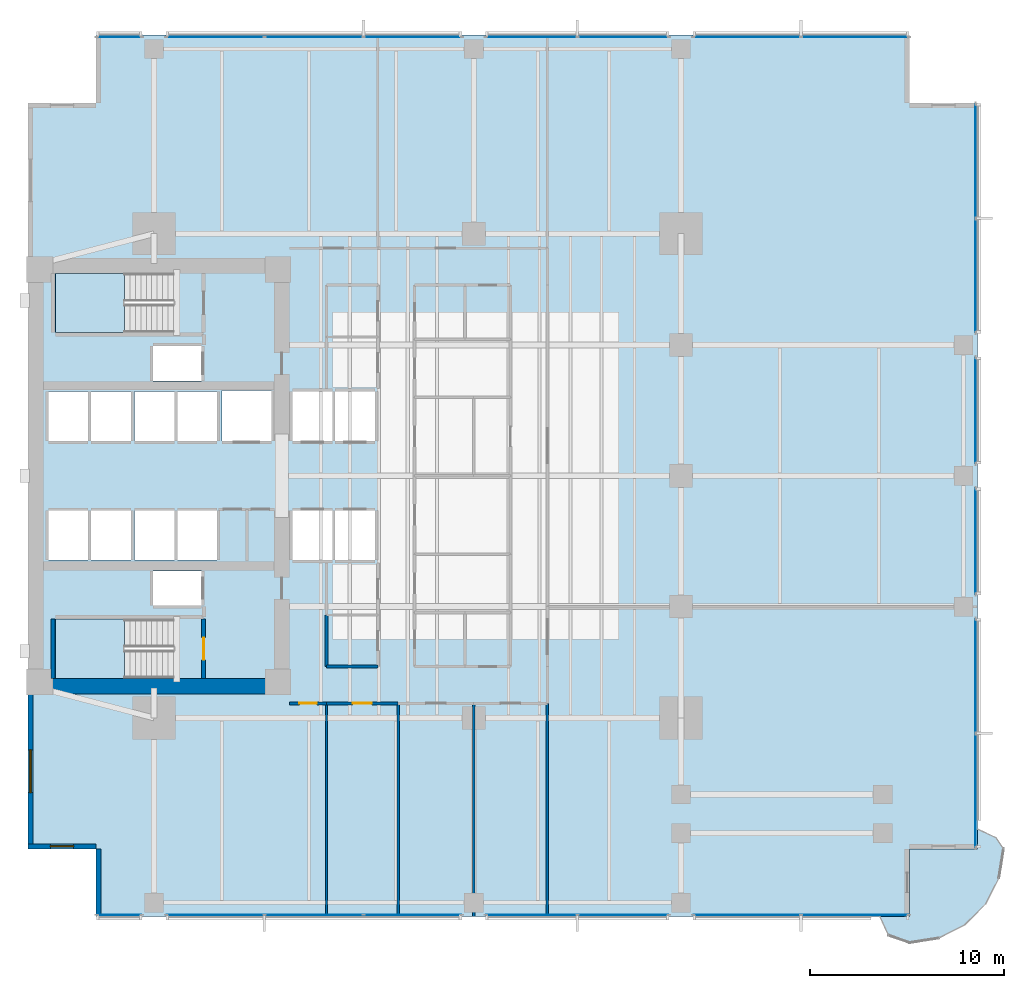
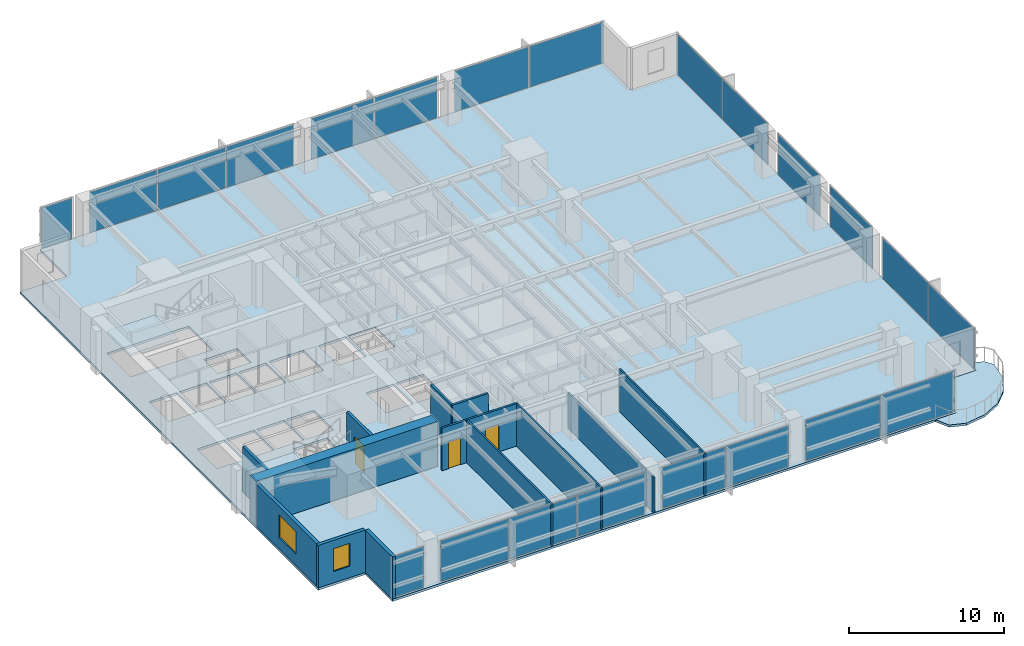
# One storey, part 7 of 15: 22 plates, 14 walls, 4 slabs, 3 doors, 2 windows, 5 openings, 14 elements without a shape of their own.
"""IFC4 building model written with IfcOpenShell, lengths in metres."""

from ifc_helpers import new_model, si_unit, direction, frame, frame_2d, origin, origin_2d, place, context, subcontext, project, spatial, polyline, rectangle, outline, extrude, material, layer, layer_set, type_object, element, fill, aggregate, save


model = new_model("IFC4")

# Units and contexts
model_context = context("Model", 3, precision=1e-05, world=origin(), true_north=direction((0.0, 1.0)))
body_context = subcontext(model_context, "Body", "Model", "MODEL_VIEW")
ifc_project = project(units=[si_unit("LENGTHUNIT", "METRE"), si_unit("AREAUNIT", "SQUARE_METRE"), si_unit("VOLUMEUNIT", "CUBIC_METRE"), si_unit("PLANEANGLEUNIT", "RADIAN"), si_unit("MASSUNIT", "GRAM", prefix="KILO")], contexts=[model_context])

# Site, building, storey
site_placement = place(None, origin())
site = spatial("IfcSite", under=ifc_project, at=site_placement, CompositionType="ELEMENT")
building_placement = place(site_placement, origin())
building = spatial("IfcBuilding", under=site, at=building_placement, Name="Kinhvarn Gate Tower", CompositionType="ELEMENT")
storey_placement = place(building_placement, frame((0.0, 0.0, 89.5)))
storey = spatial("IfcBuildingStorey", under=building, at=storey_placement, Name="L23", CompositionType="ELEMENT", Elevation=89.5)

# Curtain wall, plate
ifc_material_1 = material(Name="Anodised aluminium AW-6063", Category="aluminium")
ifc_layer_1 = layer(ifc_material_1, 0.179931640625)
ifc_layer_set_1 = layer_set([ifc_layer_1], Name="Anodised aluminium AW-6063")
curtain_wall_type = type_object("IfcCurtainWallType", Name="CW-SYS-2", PredefinedType="NOTDEFINED", material=ifc_layer_set_1)
curtain_wall_1_placement = place(storey_placement, origin())
curtain_wall_1 = element("IfcCurtainWall", 1, at=curtain_wall_1_placement, inside=storey, type_object=curtain_wall_type, Name="Curtain Wall CW2 (L23)", PredefinedType="NOTDEFINED")
ifc_material_2 = material(Name="Clear low-e double glazing", Category="glass")
ifc_layer_2 = layer(ifc_material_2, 0.031982421875)
ifc_layer_set_2 = layer_set([ifc_layer_2], Name="Clear low-e double glazing")
plate_type = type_object("IfcPlateType", Name="CW-PNL-VIS", PredefinedType="CURTAIN_PANEL", material=ifc_layer_set_2)
plate_1_placement = place(storey_placement, frame((9.2099609375, 2.590087890625, 0.070068359375), z_axis=(0.0, 0.0, 1.0), x_axis=(1.0, 0.0, 0.0)))
plate_1 = element("IfcPlate", 2, at=plate_1_placement, type_object=plate_type, Name="CW2 panel 1.1", PredefinedType="CURTAIN_PANEL", context=body_context, shape_type="SweptSolid", body=[
    extrude(rectangle(XDim=2.280029296875, YDim=0.031982421875, at=origin_2d()), origin(), (0.0, 0.0, 1.0), 3.2099609375),
])
aggregate(curtain_wall_1, [plate_1])

# Curtain wall, plates
curtain_wall_2_placement = place(storey_placement, origin())
curtain_wall_2 = element("IfcCurtainWall", 3, at=curtain_wall_2_placement, inside=storey, type_object=curtain_wall_type, Name="Curtain Wall CW2 (L23)", PredefinedType="NOTDEFINED")
plate_2_placement = place(storey_placement, frame((14.154052734375, 2.590087890625, 0.070068359375), z_axis=(0.0, 0.0, 1.0), x_axis=(1.0, 0.0, 0.0)))
plate_2 = element("IfcPlate", 4, at=plate_2_placement, type_object=plate_type, Name="CW2 panel 1.1", PredefinedType="CURTAIN_PANEL", context=body_context, shape_type="SweptSolid", body=[
    extrude(rectangle(XDim=5.00830078125, YDim=0.031982421875, at=origin_2d()), origin(), (0.0, 0.0, 1.0), 3.2099609375),
])
plate_3_placement = place(storey_placement, frame((19.25, 2.590087890625, 0.070068359375), z_axis=(0.0, 0.0, 1.0), x_axis=(1.0, 0.0, 0.0)))
plate_3 = element("IfcPlate", 5, at=plate_3_placement, type_object=plate_type, Name="CW2 panel 2.1", PredefinedType="CURTAIN_PANEL", context=body_context, shape_type="SweptSolid", body=[
    extrude(rectangle(XDim=5.043212890625, YDim=0.031982421875, at=origin_2d()), origin(), (0.0, 0.0, 1.0), 3.2099609375),
])
plate_4_placement = place(storey_placement, frame((24.345947265625, 2.590087890625, 0.070068359375), z_axis=(0.0, 0.0, 1.0), x_axis=(1.0, 0.0, 0.0)))
plate_4 = element("IfcPlate", 6, at=plate_4_placement, type_object=plate_type, Name="CW2 panel 3.1", PredefinedType="CURTAIN_PANEL", context=body_context, shape_type="SweptSolid", body=[
    extrude(rectangle(XDim=5.00830078125, YDim=0.031982421875, at=origin_2d()), origin(), (0.0, 0.0, 1.0), 3.2099609375),
])
aggregate(curtain_wall_2, [plate_2, plate_3, plate_4])

curtain_wall_3_placement = place(storey_placement, origin())
curtain_wall_3 = element("IfcCurtainWall", 7, at=curtain_wall_3_placement, inside=storey, type_object=curtain_wall_type, Name="Curtain Wall CW2 (L23)", PredefinedType="NOTDEFINED")
plate_5_placement = place(storey_placement, frame((30.482421875, 2.590087890625, 0.070068359375), z_axis=(0.0, 0.0, 1.0), x_axis=(1.0, 0.0, 0.0)))
plate_5 = element("IfcPlate", 8, at=plate_5_placement, type_object=plate_type, Name="CW2 panel 1.1", PredefinedType="CURTAIN_PANEL", context=body_context, shape_type="SweptSolid", body=[
    extrude(rectangle(XDim=4.6650390625, YDim=0.031982421875, at=origin_2d()), origin(), (0.0, 0.0, 1.0), 3.2099609375),
])
plate_6_placement = place(storey_placement, frame((35.217529296875, 2.590087890625, 0.070068359375), z_axis=(0.0, 0.0, 1.0), x_axis=(1.0, 0.0, 0.0)))
plate_6 = element("IfcPlate", 9, at=plate_6_placement, type_object=plate_type, Name="CW2 panel 2.1", PredefinedType="CURTAIN_PANEL", context=body_context, shape_type="SweptSolid", body=[
    extrude(rectangle(XDim=4.6650390625, YDim=0.031982421875, at=origin_2d()), origin(), (0.0, 0.0, 1.0), 3.2099609375),
])
aggregate(curtain_wall_3, [plate_5, plate_6])

curtain_wall_4_placement = place(storey_placement, origin())
curtain_wall_4 = element("IfcCurtainWall", 10, at=curtain_wall_4_placement, inside=storey, type_object=curtain_wall_type, Name="Curtain Wall CW2 (L23)", PredefinedType="NOTDEFINED")
plate_7_placement = place(storey_placement, frame((41.6025390625, 2.590087890625, 0.070068359375), z_axis=(0.0, 0.0, 1.0), x_axis=(1.0, 0.0, 0.0)))
plate_7 = element("IfcPlate", 11, at=plate_7_placement, type_object=plate_type, Name="CW2 panel 1.1", PredefinedType="CURTAIN_PANEL", context=body_context, shape_type="SweptSolid", body=[
    extrude(rectangle(XDim=5.5048828125, YDim=0.031982421875, at=origin_2d()), origin(), (0.0, 0.0, 1.0), 3.2099609375),
])
plate_8_placement = place(storey_placement, frame((47.177490234375, 2.590087890625, 0.070068359375), z_axis=(0.0, 0.0, 1.0), x_axis=(1.0, 0.0, 0.0)))
plate_8 = element("IfcPlate", 12, at=plate_8_placement, type_object=plate_type, Name="CW2 panel 2.1", PredefinedType="CURTAIN_PANEL", context=body_context, shape_type="SweptSolid", body=[
    extrude(rectangle(XDim=5.5048828125, YDim=0.031982421875, at=origin_2d()), origin(), (0.0, 0.0, 1.0), 3.2099609375),
])
aggregate(curtain_wall_4, [plate_7, plate_8])

curtain_wall_5_placement = place(storey_placement, origin())
curtain_wall_5 = element("IfcCurtainWall", 13, at=curtain_wall_5_placement, inside=storey, type_object=curtain_wall_type, Name="Curtain Wall CW2 (L23)", PredefinedType="NOTDEFINED")
plate_9_placement = place(storey_placement, frame((47.177490234375, 47.909912109375, 0.070068359375), z_axis=(0.0, 0.0, 1.0), x_axis=(-1.0, 0.0, 0.0)))
plate_9 = element("IfcPlate", 14, at=plate_9_placement, type_object=plate_type, Name="CW2 panel 1.1", PredefinedType="CURTAIN_PANEL", context=body_context, shape_type="SweptSolid", body=[
    extrude(rectangle(XDim=5.5048828125, YDim=0.031982421875, at=origin_2d()), origin(), (0.0, 0.0, 1.0), 3.2099609375),
])
plate_10_placement = place(storey_placement, frame((41.6025390625, 47.909912109375, 0.070068359375), z_axis=(0.0, 0.0, 1.0), x_axis=(-1.0, 0.0, 0.0)))
plate_10 = element("IfcPlate", 15, at=plate_10_placement, type_object=plate_type, Name="CW2 panel 2.1", PredefinedType="CURTAIN_PANEL", context=body_context, shape_type="SweptSolid", body=[
    extrude(rectangle(XDim=5.5048828125, YDim=0.031982421875, at=origin_2d()), origin(), (0.0, 0.0, 1.0), 3.2099609375),
])
aggregate(curtain_wall_5, [plate_9, plate_10])

curtain_wall_6_placement = place(storey_placement, origin())
curtain_wall_6 = element("IfcCurtainWall", 16, at=curtain_wall_6_placement, inside=storey, type_object=curtain_wall_type, Name="Curtain Wall CW2 (L23)", PredefinedType="NOTDEFINED")
plate_11_placement = place(storey_placement, frame((35.217529296875, 47.909912109375, 0.070068359375), z_axis=(0.0, 0.0, 1.0), x_axis=(-1.0, 0.0, 0.0)))
plate_11 = element("IfcPlate", 17, at=plate_11_placement, type_object=plate_type, Name="CW2 panel 1.1", PredefinedType="CURTAIN_PANEL", context=body_context, shape_type="SweptSolid", body=[
    extrude(rectangle(XDim=4.6650390625, YDim=0.031982421875, at=origin_2d()), origin(), (0.0, 0.0, 1.0), 3.2099609375),
])
plate_12_placement = place(storey_placement, frame((30.482421875, 47.909912109375, 0.070068359375), z_axis=(0.0, 0.0, 1.0), x_axis=(-1.0, 0.0, 0.0)))
plate_12 = element("IfcPlate", 18, at=plate_12_placement, type_object=plate_type, Name="CW2 panel 2.1", PredefinedType="CURTAIN_PANEL", context=body_context, shape_type="SweptSolid", body=[
    extrude(rectangle(XDim=4.6650390625, YDim=0.031982421875, at=origin_2d()), origin(), (0.0, 0.0, 1.0), 3.2099609375),
])
aggregate(curtain_wall_6, [plate_11, plate_12])

curtain_wall_7_placement = place(storey_placement, origin())
curtain_wall_7 = element("IfcCurtainWall", 19, at=curtain_wall_7_placement, inside=storey, type_object=curtain_wall_type, Name="Curtain Wall CW2 (L23)", PredefinedType="NOTDEFINED")
plate_13_placement = place(storey_placement, frame((24.345947265625, 47.909912109375, 0.070068359375), z_axis=(0.0, 0.0, 1.0), x_axis=(-1.0, 0.0, 0.0)))
plate_13 = element("IfcPlate", 20, at=plate_13_placement, type_object=plate_type, Name="CW2 panel 1.1", PredefinedType="CURTAIN_PANEL", context=body_context, shape_type="SweptSolid", body=[
    extrude(rectangle(XDim=5.00830078125, YDim=0.031982421875, at=origin_2d()), origin(), (0.0, 0.0, 1.0), 3.2099609375),
])
plate_14_placement = place(storey_placement, frame((19.25, 47.909912109375, 0.070068359375), z_axis=(0.0, 0.0, 1.0), x_axis=(-1.0, 0.0, 0.0)))
plate_14 = element("IfcPlate", 21, at=plate_14_placement, type_object=plate_type, Name="CW2 panel 2.1", PredefinedType="CURTAIN_PANEL", context=body_context, shape_type="SweptSolid", body=[
    extrude(rectangle(XDim=5.043212890625, YDim=0.031982421875, at=origin_2d()), origin(), (0.0, 0.0, 1.0), 3.2099609375),
])
plate_15_placement = place(storey_placement, frame((14.154052734375, 47.909912109375, 0.070068359375), z_axis=(0.0, 0.0, 1.0), x_axis=(-1.0, 0.0, 0.0)))
plate_15 = element("IfcPlate", 22, at=plate_15_placement, type_object=plate_type, Name="CW2 panel 3.1", PredefinedType="CURTAIN_PANEL", context=body_context, shape_type="SweptSolid", body=[
    extrude(rectangle(XDim=5.00830078125, YDim=0.031982421875, at=origin_2d()), origin(), (0.0, 0.0, 1.0), 3.2099609375),
])
aggregate(curtain_wall_7, [plate_13, plate_14, plate_15])

# Curtain wall, plate
curtain_wall_8_placement = place(storey_placement, origin())
curtain_wall_8 = element("IfcCurtainWall", 23, at=curtain_wall_8_placement, inside=storey, type_object=curtain_wall_type, Name="Curtain Wall CW2 (L23)", PredefinedType="NOTDEFINED")
plate_16_placement = place(storey_placement, frame((9.2099609375, 47.909912109375, 0.070068359375), z_axis=(0.0, 0.0, 1.0), x_axis=(-1.0, 0.0, 0.0)))
plate_16 = element("IfcPlate", 24, at=plate_16_placement, type_object=plate_type, Name="CW2 panel 1.1", PredefinedType="CURTAIN_PANEL", context=body_context, shape_type="SweptSolid", body=[
    extrude(rectangle(XDim=2.280029296875, YDim=0.031982421875, at=origin_2d()), origin(), (0.0, 0.0, 1.0), 3.2099609375),
])
aggregate(curtain_wall_8, [plate_16])

# Curtain wall, plates
curtain_wall_9_placement = place(storey_placement, origin())
curtain_wall_9 = element("IfcCurtainWall", 25, at=curtain_wall_9_placement, inside=storey, type_object=curtain_wall_type, Name="Curtain Wall CW2 (L23)", PredefinedType="NOTDEFINED")
plate_17_placement = place(storey_placement, frame((53.409912109375, 8.99755859375, 0.070068359375), z_axis=(0.0, 0.0, 1.0), x_axis=(0.0, 1.0, 0.0)))
plate_17 = element("IfcPlate", 26, at=plate_17_placement, type_object=plate_type, Name="CW2 panel 1.1", PredefinedType="CURTAIN_PANEL", context=body_context, shape_type="SweptSolid", body=[
    extrude(rectangle(XDim=5.85498046875, YDim=0.031982421875, at=origin_2d()), origin(), (0.0, 0.0, 1.0), 3.2099609375),
])
plate_18_placement = place(storey_placement, frame((53.409912109375, 14.922607421875, 0.070068359375), z_axis=(0.0, 0.0, 1.0), x_axis=(0.0, 1.0, 0.0)))
plate_18 = element("IfcPlate", 27, at=plate_18_placement, type_object=plate_type, Name="CW2 panel 2.1", PredefinedType="CURTAIN_PANEL", context=body_context, shape_type="SweptSolid", body=[
    extrude(rectangle(XDim=5.85498046875, YDim=0.031982421875, at=origin_2d()), origin(), (0.0, 0.0, 1.0), 3.2099609375),
])
aggregate(curtain_wall_9, [plate_17, plate_18])

# Curtain wall, plate
curtain_wall_10_placement = place(storey_placement, origin())
curtain_wall_10 = element("IfcCurtainWall", 28, at=curtain_wall_10_placement, inside=storey, type_object=curtain_wall_type, Name="Curtain Wall CW2 (L23)", PredefinedType="NOTDEFINED")
plate_19_placement = place(storey_placement, frame((53.409912109375, 21.875, 0.070068359375), z_axis=(0.0, 0.0, 1.0), x_axis=(0.0, 1.0, 0.0)))
plate_19 = element("IfcPlate", 29, at=plate_19_placement, type_object=plate_type, Name="CW2 panel 1.1", PredefinedType="CURTAIN_PANEL", context=body_context, shape_type="SweptSolid", body=[
    extrude(rectangle(XDim=5.449951171875, YDim=0.031982421875, at=origin_2d()), origin(), (0.0, 0.0, 1.0), 3.2099609375),
])
aggregate(curtain_wall_10, [plate_19])

curtain_wall_11_placement = place(storey_placement, origin())
curtain_wall_11 = element("IfcCurtainWall", 30, at=curtain_wall_11_placement, inside=storey, type_object=curtain_wall_type, Name="Curtain Wall CW2 (L23)", PredefinedType="NOTDEFINED")
plate_20_placement = place(storey_placement, frame((53.409912109375, 28.625, 0.070068359375), z_axis=(0.0, 0.0, 1.0), x_axis=(0.0, 1.0, 0.0)))
plate_20 = element("IfcPlate", 31, at=plate_20_placement, type_object=plate_type, Name="CW2 panel 1.1", PredefinedType="CURTAIN_PANEL", context=body_context, shape_type="SweptSolid", body=[
    extrude(rectangle(XDim=5.449951171875, YDim=0.031982421875, at=origin_2d()), origin(), (0.0, 0.0, 1.0), 3.2099609375),
])
aggregate(curtain_wall_11, [plate_20])

# Curtain wall, plates
curtain_wall_12_placement = place(storey_placement, origin())
curtain_wall_12 = element("IfcCurtainWall", 32, at=curtain_wall_12_placement, inside=storey, type_object=curtain_wall_type, Name="Curtain Wall CW2 (L23)", PredefinedType="NOTDEFINED")
plate_21_placement = place(storey_placement, frame((53.409912109375, 35.577392578125, 0.070068359375), z_axis=(0.0, 0.0, 1.0), x_axis=(0.0, 1.0, 0.0)))
plate_21 = element("IfcPlate", 33, at=plate_21_placement, type_object=plate_type, Name="CW2 panel 1.1", PredefinedType="CURTAIN_PANEL", context=body_context, shape_type="SweptSolid", body=[
    extrude(rectangle(XDim=5.85498046875, YDim=0.031982421875, at=origin_2d()), origin(), (0.0, 0.0, 1.0), 3.2099609375),
])
plate_22_placement = place(storey_placement, frame((53.409912109375, 41.50244140625, 0.070068359375), z_axis=(0.0, 0.0, 1.0), x_axis=(0.0, 1.0, 0.0)))
plate_22 = element("IfcPlate", 34, at=plate_22_placement, type_object=plate_type, Name="CW2 panel 2.1", PredefinedType="CURTAIN_PANEL", context=body_context, shape_type="SweptSolid", body=[
    extrude(rectangle(XDim=5.85498046875, YDim=0.031982421875, at=origin_2d()), origin(), (0.0, 0.0, 1.0), 3.2099609375),
])
aggregate(curtain_wall_12, [plate_21, plate_22])

# Slabs
ifc_material_3 = material(Name="Precast white architectural concrete C40/50", Category="concrete")
ifc_layer_3 = layer(ifc_material_3, 0.179931640625)
ifc_layer_set_3 = layer_set([ifc_layer_3], Name="Precast white architectural concrete C40/50")
slab_type_1 = type_object("IfcSlabType", Name="SLB-BAL-180", PredefinedType="FLOOR", material=ifc_layer_set_3)
slab_1_placement = place(storey_placement, frame((0.0, 0.0, -0.179931640625)))
element("IfcSlab", 35, at=slab_1_placement, inside=storey, type_object=slab_type_1, Name="S-Carve Curved Terrace Balcony Slab L23 (SE)", PredefinedType="FLOOR", context=body_context, shape_type="SweptSolid", body=[
    extrude(outline(polyline([(48.466064453125, 2.5), (48.916015625, 1.528076171875), (50.0, 1.14990234375), (51.498779296875, 1.387451171875), (52.850830078125, 2.076416015625), (53.923583984375, 3.149169921875), (54.612548828125, 4.501220703125), (54.85009765625, 6.0), (54.471923828125, 6.56396484375), (53.5, 7.013916015625), (53.5, 6.0), (50.0, 6.0), (50.0, 2.5), (48.466064453125, 2.5)])), origin(), (0.0, 0.0, 1.0), 0.179931640625),
])
ifc_material_4 = material(Name="Concrete C40/50", Category="concrete")
ifc_layer_4 = layer(ifc_material_4, 0.179931640625)
ifc_layer_set_4 = layer_set([ifc_layer_4], Name="Concrete C40/50")
slab_type_2 = type_object("IfcSlabType", Name="SLB-FLR-180", PredefinedType="FLOOR", material=ifc_layer_set_4)
slab_2_placement = place(storey_placement, frame((0.0, 0.0, -0.179931640625)))
element("IfcSlab", 36, at=slab_2_placement, inside=storey, type_object=slab_type_2, Name="Suspended Floor Slab L23", PredefinedType="FLOOR", context=body_context, shape_type="SweptSolid", body=[
    extrude(outline(polyline([(8.0, 2.5), (50.0, 2.5), (50.0, 6.0), (53.5, 6.0), (53.5, 44.5), (50.0, 44.5), (50.0, 48.0), (8.0, 48.0), (8.0, 44.5), (4.5, 44.5), (4.5, 6.0), (8.0, 6.0), (8.0, 2.5)]), holes=[polyline([(5.89990234375, 14.800048828125), (12.0, 14.800048828125), (12.0, 17.85009765625), (5.89990234375, 17.85009765625), (5.89990234375, 14.800048828125)]), polyline([(5.89990234375, 32.64990234375), (12.0, 32.64990234375), (12.0, 35.699951171875), (5.89990234375, 35.699951171875), (5.89990234375, 32.64990234375)]), polyline([(18.14990234375, 20.89990234375), (20.199951171875, 20.89990234375), (20.199951171875, 23.449951171875), (18.14990234375, 23.449951171875), (18.14990234375, 20.89990234375)]), polyline([(20.35009765625, 20.89990234375), (22.39990234375, 20.89990234375), (22.39990234375, 23.449951171875), (20.35009765625, 23.449951171875), (20.35009765625, 20.89990234375)]), polyline([(18.14990234375, 27.050048828125), (20.199951171875, 27.050048828125), (20.199951171875, 29.60009765625), (18.14990234375, 29.60009765625), (18.14990234375, 27.050048828125)]), polyline([(20.35009765625, 27.050048828125), (22.39990234375, 27.050048828125), (22.39990234375, 29.60009765625), (20.35009765625, 29.60009765625), (20.35009765625, 27.050048828125)]), polyline([(5.550048828125, 20.89990234375), (7.60009765625, 20.89990234375), (7.60009765625, 23.449951171875), (5.550048828125, 23.449951171875), (5.550048828125, 20.89990234375)]), polyline([(7.75, 20.89990234375), (9.800048828125, 20.89990234375), (9.800048828125, 23.449951171875), (7.75, 23.449951171875), (7.75, 20.89990234375)]), polyline([(5.550048828125, 27.050048828125), (7.60009765625, 27.050048828125), (7.60009765625, 29.60009765625), (5.550048828125, 29.60009765625), (5.550048828125, 27.050048828125)]), polyline([(7.75, 27.050048828125), (9.800048828125, 27.050048828125), (9.800048828125, 29.60009765625), (7.75, 29.60009765625), (7.75, 27.050048828125)]), polyline([(10.0, 20.89990234375), (12.050048828125, 20.89990234375), (12.050048828125, 23.449951171875), (10.0, 23.449951171875), (10.0, 20.89990234375)]), polyline([(12.199951171875, 20.89990234375), (14.25, 20.89990234375), (14.25, 23.449951171875), (12.199951171875, 23.449951171875), (12.199951171875, 20.89990234375)]), polyline([(10.0, 27.050048828125), (12.050048828125, 27.050048828125), (12.050048828125, 29.60009765625), (10.0, 29.60009765625), (10.0, 27.050048828125)]), polyline([(12.199951171875, 27.050048828125), (14.25, 27.050048828125), (14.25, 29.60009765625), (12.199951171875, 29.60009765625), (12.199951171875, 27.050048828125)]), polyline([(14.5, 27.050048828125), (17.050048828125, 27.050048828125), (17.050048828125, 29.64990234375), (14.5, 29.64990234375), (14.5, 27.050048828125)]), polyline([(10.949951171875, 18.550048828125), (13.449951171875, 18.550048828125), (13.449951171875, 20.35009765625), (10.949951171875, 20.35009765625), (10.949951171875, 18.550048828125)]), polyline([(10.949951171875, 30.14990234375), (13.449951171875, 30.14990234375), (13.449951171875, 31.949951171875), (10.949951171875, 31.949951171875), (10.949951171875, 30.14990234375)])]), origin(), (0.0, 0.0, 1.0), 0.179931640625),
])

# Stair, slab
stair_type = type_object("IfcStairType", Name="STR-DLG-177", PredefinedType="HALF_TURN_STAIR", material=ifc_material_4)
stair_1_placement = place(storey_placement, origin())
stair_1 = element("IfcStair", 37, at=stair_1_placement, inside=storey, type_object=stair_type, Name="L23 Core Smokeproof Exit Stair ST1", PredefinedType="HALF_TURN_STAIR")
ifc_layer_5 = layer(ifc_material_4, 0.199951171875)
ifc_layer_set_5 = layer_set([ifc_layer_5], Name="Concrete C40/50")
slab_type_3 = type_object("IfcSlabType", Name="SLB-ST-LND", PredefinedType="LANDING", material=ifc_layer_set_5)
slab_3_placement = place(storey_placement, frame((0.0, 0.0, 1.574951171875)))
slab_3 = element("IfcSlab", 38, at=slab_3_placement, type_object=slab_type_3, Name="ST1 landing 1", PredefinedType="LANDING", context=body_context, shape_type="SweptSolid", body=[
    extrude(outline(polyline([(9.47998046875, 17.85009765625), (5.89990234375, 17.85009765625), (5.89990234375, 14.800048828125), (9.47998046875, 14.800048828125), (9.47998046875, 17.85009765625)])), origin(), (0.0, 0.0, 1.0), 0.199951171875),
])
aggregate(stair_1, [slab_3])

stair_2_placement = place(storey_placement, origin())
stair_2 = element("IfcStair", 39, at=stair_2_placement, inside=storey, type_object=stair_type, Name="L23 Core Smokeproof Exit Stair ST2", PredefinedType="HALF_TURN_STAIR")
slab_4_placement = place(storey_placement, frame((0.0, 0.0, 1.574951171875)))
slab_4 = element("IfcSlab", 40, at=slab_4_placement, type_object=slab_type_3, Name="ST2 landing 1", PredefinedType="LANDING", context=body_context, shape_type="SweptSolid", body=[
    extrude(outline(polyline([(9.47998046875, 35.699951171875), (5.89990234375, 35.699951171875), (5.89990234375, 32.64990234375), (9.47998046875, 32.64990234375), (9.47998046875, 35.699951171875)])), origin(), (0.0, 0.0, 1.0), 0.199951171875),
])
aggregate(stair_2, [slab_4])

# Wall
ifc_material_5 = material(Name="Concrete C70/85", Category="concrete")
ifc_layer_6 = layer(ifc_material_5, 0.800048828125)
ifc_layer_set_6 = layer_set([ifc_layer_6], Name="Concrete C70/85")
wall_type_1 = type_object("IfcWallType", Name="WL-CORE-800", PredefinedType="SHEAR", material=ifc_layer_set_6)
wall_1_placement = place(storey_placement, frame((4.5, 14.39990234375, 0.0), z_axis=(0.0, 0.0, 1.0), x_axis=(1.0, 0.0, 0.0)))
element("IfcWall", 41, at=wall_1_placement, inside=storey, type_object=wall_type_1, Name="Core South Shear Wall L23 800 mm", PredefinedType="SHEAR", context=body_context, shape_type="SweptSolid", body=[
    extrude(rectangle(XDim=13.5, YDim=0.800048828125, at=frame_2d((6.75, 0.0))), origin(), (0.0, 0.0, 1.0), 3.550048828125),
])

# Wall, opening, window
ifc_material_6 = material(Name="Fired architectural terracotta", Category="masonry")
ifc_layer_7 = layer(ifc_material_6, 0.25)
ifc_layer_set_7 = layer_set([ifc_layer_7], Name="Fired architectural terracotta")
wall_type_2 = type_object("IfcWallType", Name="WL-EXT-250", PredefinedType="SOLIDWALL", material=ifc_layer_set_7)
wall_2_placement = place(storey_placement, frame((4.625, 14.0, 0.0), z_axis=(0.0, 0.0, 1.0), x_axis=(0.0, -1.0, 0.0)))
wall_2 = element("IfcWall", 42, at=wall_2_placement, inside=storey, type_object=wall_type_2, Name="Exterior Solidwall Wall EW-250 (L23 West-South)", PredefinedType="SOLIDWALL", context=body_context, shape_type="SweptSolid", body=[
    extrude(rectangle(XDim=8.0, YDim=0.25, at=frame_2d((4.0, 0.0))), origin(), (0.0, 0.0, 1.0), 3.35009765625),
])
opening_1_placement = place(wall_2_placement, frame((2.89990234375, 0.0, 0.89990234375)))
opening_1 = element("IfcOpeningElement", 43, at=opening_1_placement, cuts=wall_2, Name="Opening WN-01", PredefinedType="OPENING", context=body_context, shape_type="SweptSolid", body=[
    extrude(rectangle(XDim=2.199951171875, YDim=1.800048828125, at=frame_2d((1.10009765625, 0.89990234375))), frame((0.0, 0.135009765625, 0.0), z_axis=(0.0, -1.0, 0.0), x_axis=(1.0, 0.0, 0.0)), (0.0, 0.0, 1.0), 0.27001953125),
])
window_type_1 = type_object("IfcWindowType", Name="WIN-RIB-2200", PartitioningType="SINGLE_PANEL", PredefinedType="WINDOW", material=ifc_material_2)
window_1_placement = place(opening_1_placement, origin())
window_1 = element("IfcWindow", 44, at=window_1_placement, inside=storey, type_object=window_type_1, Name="West Flank Double-Glazed Ribbon Window 2200x1800 mm (L23)", OverallHeight=1.800048828125, OverallWidth=2.199951171875, PartitioningType="SINGLE_PANEL", PredefinedType="WINDOW", context=body_context, shape_type="SweptSolid", body=[
    extrude(rectangle(XDim=2.199951171875, YDim=1.800048828125, at=frame_2d((1.10009765625, 0.89990234375))), frame((0.0, 0.030029296875, 0.0), z_axis=(0.0, -1.0, 0.0), x_axis=(1.0, 0.0, 0.0)), (0.0, 0.0, 1.0), 0.06005859375),
])
fill(opening_1, window_1)

wall_3_placement = place(storey_placement, frame((4.5, 6.125, 0.0), z_axis=(0.0, 0.0, 1.0), x_axis=(1.0, 0.0, 0.0)))
wall_3 = element("IfcWall", 45, at=wall_3_placement, inside=storey, type_object=wall_type_2, Name="Exterior Solidwall Wall EW-250 (L23 SW-Notch-1)", PredefinedType="SOLIDWALL", context=body_context, shape_type="SweptSolid", body=[
    extrude(rectangle(XDim=3.5, YDim=0.25, at=frame_2d((1.75, 0.0))), origin(), (0.0, 0.0, 1.0), 3.35009765625),
])
opening_2_placement = place(wall_3_placement, frame((1.14990234375, 0.0, 0.89990234375)))
opening_2 = element("IfcOpeningElement", 46, at=opening_2_placement, cuts=wall_3, Name="Opening WN-02", PredefinedType="OPENING", context=body_context, shape_type="SweptSolid", body=[
    extrude(rectangle(XDim=1.199951171875, YDim=1.800048828125, at=frame_2d((0.60009765625, 0.89990234375))), frame((0.0, 0.135009765625, 0.0), z_axis=(0.0, -1.0, 0.0), x_axis=(1.0, 0.0, 0.0)), (0.0, 0.0, 1.0), 0.27001953125),
])
window_type_2 = type_object("IfcWindowType", Name="WIN-NTC-1200", PartitioningType="SINGLE_PANEL", PredefinedType="WINDOW", material=ifc_material_2)
window_2_placement = place(opening_2_placement, origin())
window_2 = element("IfcWindow", 47, at=window_2_placement, inside=storey, type_object=window_type_2, Name="Recessed Corner Notch Punched Window 1200x1800 mm (L23)", OverallHeight=1.800048828125, OverallWidth=1.199951171875, PartitioningType="SINGLE_PANEL", PredefinedType="WINDOW", context=body_context, shape_type="SweptSolid", body=[
    extrude(rectangle(XDim=1.199951171875, YDim=1.800048828125, at=frame_2d((0.60009765625, 0.89990234375))), frame((0.0, 0.030029296875, 0.0), z_axis=(0.0, -1.0, 0.0), x_axis=(1.0, 0.0, 0.0)), (0.0, 0.0, 1.0), 0.06005859375),
])
fill(opening_2, window_2)

# Walls
wall_4_placement = place(storey_placement, frame((8.125, 6.0, 0.0), z_axis=(0.0, 0.0, 1.0), x_axis=(0.0, -1.0, 0.0)))
element("IfcWall", 48, at=wall_4_placement, inside=storey, type_object=wall_type_2, Name="Exterior Solidwall Wall EW-250 (L23 SW-Notch-2)", PredefinedType="SOLIDWALL", context=body_context, shape_type="SweptSolid", body=[
    extrude(rectangle(XDim=3.5, YDim=0.25, at=frame_2d((1.75, 0.0))), origin(), (0.0, 0.0, 1.0), 3.35009765625),
])
ifc_material_7 = material(Name="Gypsum acoustic partition board")
ifc_layer_8 = layer(ifc_material_7, 0.1201171875)
ifc_layer_set_8 = layer_set([ifc_layer_8], Name="Gypsum acoustic partition board")
wall_type_3 = type_object("IfcWallType", Name="WL-PRT-120", PredefinedType="PARTITIONING", material=ifc_layer_set_8)
for number, where, z_axis, x_axis, name in (
    (49, (19.89990234375, 2.510009765625, 0.0), (0.0, 0.0, 1.0), (0.0, 1.0, 0.0), "Interior Partition PW-120 (L23)"),
    (50, (23.60009765625, 2.510009765625, 0.0), (0.0, 0.0, 1.0), (0.0, 1.0, 0.0), "Interior Partition PW-120 (L23)"),
):
    element("IfcWall", number, at=place(storey_placement, frame(where, z_axis=z_axis, x_axis=x_axis)), inside=storey, type_object=wall_type_3, Name=name, PredefinedType="PARTITIONING", context=body_context, shape_type="SweptSolid", body=[
        extrude(rectangle(XDim=10.989990234375, YDim=0.1201171875, at=frame_2d((5.4951171875, 0.0))), origin(), (0.0, 0.0, 1.0), 3.35009765625),
    ])
wall_5_placement = place(storey_placement, frame((27.5, 2.510009765625, 0.0), z_axis=(0.0, 0.0, 1.0), x_axis=(0.0, 1.0, 0.0)))
element("IfcWall", 51, at=wall_5_placement, inside=storey, type_object=wall_type_3, Name="Interior Partition PW-120 (L23)", PredefinedType="PARTITIONING", context=body_context, shape_type="SweptSolid", body=[
    extrude(rectangle(XDim=10.989990234375, YDim=0.1201171875, at=frame_2d((5.4951171875, 0.0))), origin(), (0.0, 0.0, 1.0), 2.800048828125),
])
wall_6_placement = place(storey_placement, frame((31.300048828125, 2.510009765625, 0.0), z_axis=(0.0, 0.0, 1.0), x_axis=(0.0, 1.0, 0.0)))
element("IfcWall", 52, at=wall_6_placement, inside=storey, type_object=wall_type_3, Name="Interior Partition PW-120 (L23)", PredefinedType="PARTITIONING", context=body_context, shape_type="SweptSolid", body=[
    extrude(rectangle(XDim=10.989990234375, YDim=0.1201171875, at=frame_2d((5.4951171875, 0.0))), origin(), (0.0, 0.0, 1.0), 3.35009765625),
])
ifc_layer_9 = layer(ifc_material_7, 0.14990234375)
ifc_layer_set_9 = layer_set([ifc_layer_9], Name="Gypsum acoustic partition board")
wall_type_4 = type_object("IfcWallType", Name="WL-PRT-150F", PredefinedType="PARTITIONING", material=ifc_layer_set_9)
wall_7_placement = place(storey_placement, frame((19.89990234375, 15.39990234375, 0.0), z_axis=(0.0, 0.0, 1.0), x_axis=(0.0, 1.0, 0.0)))
element("IfcWall", 53, at=wall_7_placement, inside=storey, type_object=wall_type_4, Name="Interior Partition PW-150F (L23)", PredefinedType="PARTITIONING", context=body_context, shape_type="SweptSolid", body=[
    extrude(rectangle(XDim=2.670166015625, YDim=0.14990234375, at=frame_2d((1.3349609375, 0.0))), origin(), (0.0, 0.0, 1.0), 3.35009765625),
])
wall_8_placement = place(storey_placement, frame((19.89990234375, 15.39990234375, 0.0), z_axis=(0.0, 0.0, 1.0), x_axis=(1.0, 0.0, 0.0)))
element("IfcWall", 54, at=wall_8_placement, inside=storey, type_object=wall_type_4, Name="Interior Partition PW-150F (L23)", PredefinedType="PARTITIONING", context=body_context, shape_type="SweptSolid", body=[
    extrude(rectangle(XDim=2.650146484375, YDim=0.14990234375, at=frame_2d((1.3251953125, 0.0))), origin(), (0.0, 0.0, 1.0), 3.35009765625),
])

# Wall, opening, door
wall_9_placement = place(storey_placement, frame((18.0, 13.5, 0.0), z_axis=(0.0, 0.0, 1.0), x_axis=(1.0, 0.0, 0.0)))
wall_9 = element("IfcWall", 55, at=wall_9_placement, inside=storey, type_object=wall_type_4, Name="Interior Partition PW-150F (L23)", PredefinedType="PARTITIONING", context=body_context, shape_type="SweptSolid", body=[
    extrude(rectangle(XDim=1.89990234375, YDim=0.14990234375, at=frame_2d((0.949951171875, 0.0))), origin(), (0.0, 0.0, 1.0), 3.35009765625),
])
opening_3_placement = place(wall_9_placement, frame((0.5, 0.0, 0.0)))
opening_3 = element("IfcOpeningElement", 56, at=opening_3_placement, cuts=wall_9, Name="Opening ID-03", PredefinedType="OPENING", context=body_context, shape_type="SweptSolid", body=[
    extrude(rectangle(XDim=0.89990234375, YDim=2.10009765625, at=frame_2d((0.449951171875, 1.050048828125))), frame((0.0, 0.0849609375, 0.0), z_axis=(0.0, -1.0, 0.0), x_axis=(1.0, 0.0, 0.0)), (0.0, 0.0, 1.0), 0.169921875),
])
door_type_1 = type_object("IfcDoorType", Name="DR-INT-900", OperationType="NOTDEFINED", PredefinedType="DOOR", material=ifc_material_1)
door_1_placement = place(opening_3_placement, origin())
door_1 = element("IfcDoor", 57, at=door_1_placement, inside=storey, type_object=door_type_1, Name="Cellular Office & Restroom Door 900x2100 mm (L23)", OperationType="SINGLE_SWING_LEFT", OverallHeight=2.10009765625, OverallWidth=0.89990234375, PredefinedType="DOOR", context=body_context, shape_type="SweptSolid", body=[
    extrude(rectangle(XDim=0.89990234375, YDim=2.10009765625, at=frame_2d((0.449951171875, 1.050048828125))), frame((0.0, 0.02490234375, 0.0), z_axis=(0.0, -1.0, 0.0), x_axis=(1.0, 0.0, 0.0)), (0.0, 0.0, 1.0), 0.050048828125),
])
fill(opening_3, door_1)

wall_10_placement = place(storey_placement, frame((19.89990234375, 13.5, 0.0), z_axis=(0.0, 0.0, 1.0), x_axis=(1.0, 0.0, 0.0)))
wall_10 = element("IfcWall", 58, at=wall_10_placement, inside=storey, type_object=wall_type_4, Name="Interior Partition PW-150F (L23)", PredefinedType="PARTITIONING", context=body_context, shape_type="SweptSolid", body=[
    extrude(rectangle(XDim=3.7001953125, YDim=0.14990234375, at=frame_2d((1.85009765625, 0.0))), origin(), (0.0, 0.0, 1.0), 3.35009765625),
])
opening_4_placement = place(wall_10_placement, frame((1.35009765625, 0.0, 0.0)))
opening_4 = element("IfcOpeningElement", 59, at=opening_4_placement, cuts=wall_10, Name="Opening ID-02", PredefinedType="OPENING", context=body_context, shape_type="SweptSolid", body=[
    extrude(rectangle(XDim=1.0, YDim=2.14990234375, at=frame_2d((0.5, 1.074951171875))), frame((0.0, 0.0849609375, 0.0), z_axis=(0.0, -1.0, 0.0), x_axis=(1.0, 0.0, 0.0)), (0.0, 0.0, 1.0), 0.169921875),
])
door_type_2 = type_object("IfcDoorType", Name="DR-INT-1000", OperationType="NOTDEFINED", PredefinedType="DOOR", material=ifc_material_1)
door_2_placement = place(opening_4_placement, origin())
door_2 = element("IfcDoor", 60, at=door_2_placement, inside=storey, type_object=door_type_2, Name="Standard Office & Meeting Room Door 1000x2150 mm (L23)", OperationType="SINGLE_SWING_RIGHT", OverallHeight=2.14990234375, OverallWidth=1.0, PredefinedType="DOOR", context=body_context, shape_type="SweptSolid", body=[
    extrude(rectangle(XDim=1.0, YDim=2.14990234375, at=frame_2d((0.5, 1.074951171875))), frame((0.0, 0.02490234375, 0.0), z_axis=(0.0, -1.0, 0.0), x_axis=(1.0, 0.0, 0.0)), (0.0, 0.0, 1.0), 0.050048828125),
])
fill(opening_4, door_2)

# Wall
ifc_layer_10 = layer(ifc_material_4, 0.199951171875)
ifc_layer_set_10 = layer_set([ifc_layer_10], Name="Concrete C40/50")
wall_type_5 = type_object("IfcWallType", Name="WL-SHF-200", PredefinedType="SOLIDWALL", material=ifc_layer_set_10)
wall_11_placement = place(storey_placement, frame((5.7900390625, 14.800048828125, 0.0), z_axis=(0.0, 0.0, 1.0), x_axis=(0.0, 1.0, 0.0)))
element("IfcWall", 61, at=wall_11_placement, inside=storey, type_object=wall_type_5, Name="Stair ST1 West Shaft Wall (L23)", PredefinedType="SOLIDWALL", context=body_context, shape_type="SweptSolid", body=[
    extrude(rectangle(XDim=3.050048828125, YDim=0.199951171875, at=frame_2d((1.52490234375, 0.0))), origin(), (0.0, 0.0, 1.0), 3.550048828125),
])

# Wall, opening, door
wall_12_placement = place(storey_placement, frame((13.56005859375, 14.800048828125, 0.0), z_axis=(0.0, 0.0, 1.0), x_axis=(0.0, 1.0, 0.0)))
wall_12 = element("IfcWall", 62, at=wall_12_placement, inside=storey, type_object=wall_type_5, Name="Stair ST1 East Entry Wall (L23)", PredefinedType="SOLIDWALL", context=body_context, shape_type="SweptSolid", body=[
    extrude(rectangle(XDim=3.050048828125, YDim=0.199951171875, at=frame_2d((1.52490234375, 0.0))), origin(), (0.0, 0.0, 1.0), 3.550048828125),
])
opening_5_placement = place(wall_12_placement, frame((0.949951171875, 0.0, 0.0)))
opening_5 = element("IfcOpeningElement", 63, at=opening_5_placement, cuts=wall_12, Name="Opening FD-01", PredefinedType="OPENING", context=body_context, shape_type="SweptSolid", body=[
    extrude(rectangle(XDim=1.14990234375, YDim=2.14990234375, at=frame_2d((0.574951171875, 1.074951171875))), frame((0.0, 0.10986328125, 0.0), z_axis=(0.0, -1.0, 0.0), x_axis=(1.0, 0.0, 0.0)), (0.0, 0.0, 1.0), 0.219970703125),
])
door_type_3 = type_object("IfcDoorType", Name="DR-ST-1150", OperationType="NOTDEFINED", PredefinedType="DOOR", material=ifc_material_1)
door_3_placement = place(opening_5_placement, origin())
door_3 = element("IfcDoor", 64, at=door_3_placement, inside=storey, type_object=door_type_3, Name="Exit Stair ST1 Fire Door (L23)", OperationType="SINGLE_SWING_LEFT", OverallHeight=2.14990234375, OverallWidth=1.14990234375, PredefinedType="DOOR", context=body_context, shape_type="SweptSolid", body=[
    extrude(rectangle(XDim=1.14990234375, YDim=2.14990234375, at=frame_2d((0.574951171875, 1.074951171875))), frame((0.0, 0.02490234375, 0.0), z_axis=(0.0, -1.0, 0.0), x_axis=(1.0, 0.0, 0.0)), (0.0, 0.0, 1.0), 0.050048828125),
])
fill(opening_5, door_3)

save(model, "model.ifc")
